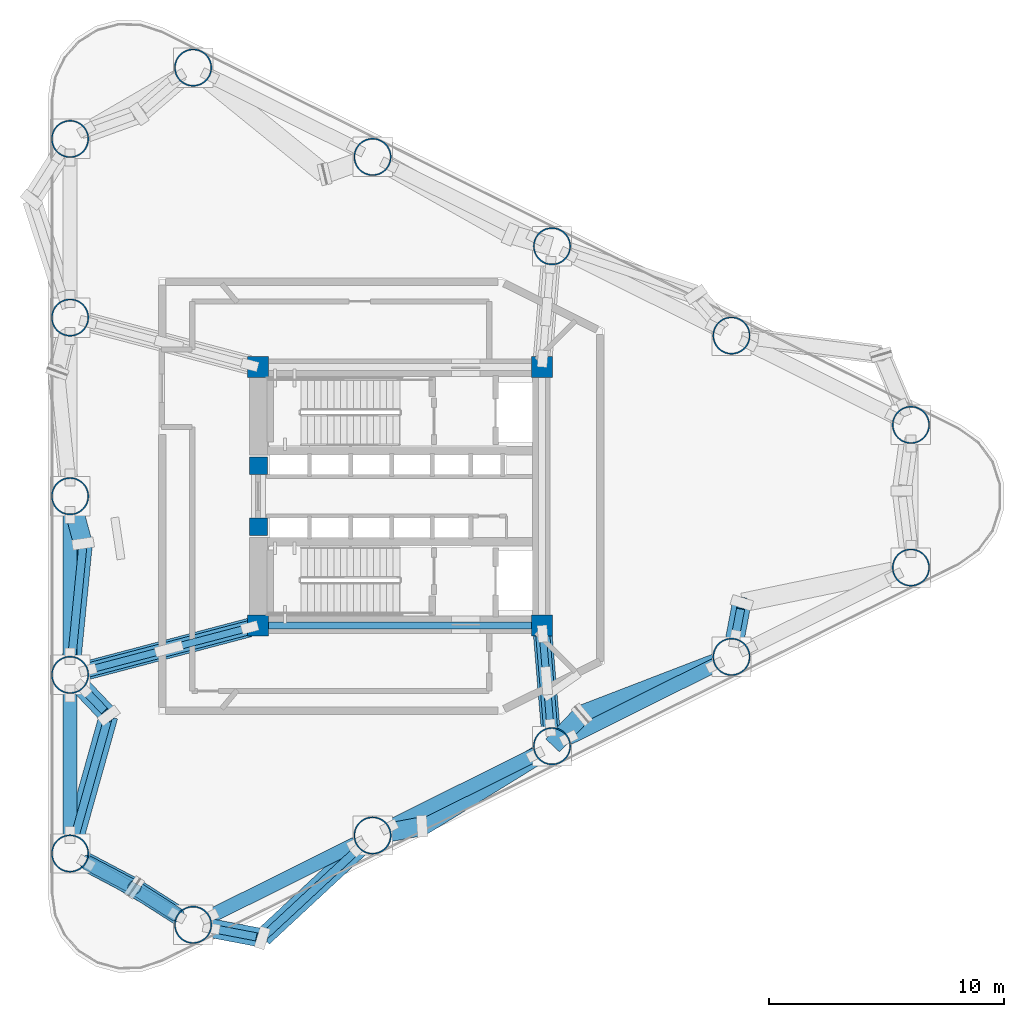
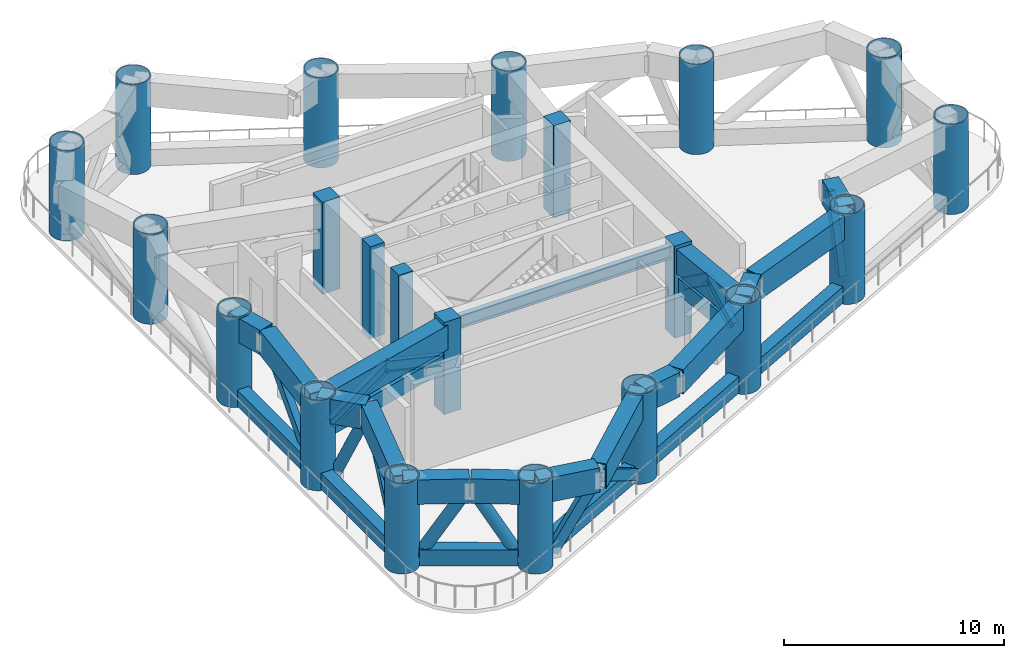
# One storey, part 1 of 8: 21 columns, 20 members, 16 beams.
"""IFC4 building model written with IfcOpenShell, lengths in metres."""

import ifcopenshell
import ifcopenshell.guid

model = None  # the IFC model being written
_history = None  # IfcOwnerHistory: only IFC2X3 demands one
_inside = {}  # id of a spatial element -> (the spatial element, [elements in it])
_under = {}  # id of a project, library or spatial element -> (it, [spatial elements below it])
_declared = {}  # id of a project -> (the project, [libraries it declares])
_typed = {}  # id of a type object -> (the type object, [elements of that type])
_made_of = {}  # id of a material, layer set ... -> (it, [elements and type objects made of it])


def new_model(schema):
    """Start an empty IFC model of exactly this schema.

    Asked for "IFC4X3", IfcOpenShell would pick the latest addendum, in which some entities
    have other attributes; the version numbers below select the first issue.
    IFC2X3 requires an IfcOwnerHistory on every rooted entity: one is made here for all.
    """
    global model, _history
    if schema == "IFC4X3":
        model = ifcopenshell.file(schema_version=(4, 3, 0, 0))
    else:
        model = ifcopenshell.file(schema=schema)
    _inside.clear()
    _under.clear()
    _declared.clear()
    _typed.clear()
    _made_of.clear()
    _history = None
    if model.schema == "IFC2X3":
        org = make("IfcOrganization", Name="unknown")
        user = make(
            "IfcPersonAndOrganization",
            ThePerson=make("IfcPerson", FamilyName="unknown"),
            TheOrganization=org,
        )
        app = make(
            "IfcApplication",
            ApplicationDeveloper=org,
            Version="unknown",
            ApplicationFullName="unknown",
            ApplicationIdentifier="unknown",
        )
        _history = make(
            "IfcOwnerHistory",
            OwningUser=user,
            OwningApplication=app,
            ChangeAction="ADDED",
            CreationDate=0,
        )
    return model


def make(cls, **values):
    """One entity of the class cls with the attributes given. An attribute that is None is left unset."""
    return model.create_entity(
        cls, **{name: value for name, value in values.items() if value is not None}
    )


def rooted(cls, **values):
    """An entity with a GlobalId (a new one), such as an element, a storey or a relation."""
    return make(cls, GlobalId=ifcopenshell.guid.new(), OwnerHistory=_history, **values)


def si_unit(unit_type, name, prefix=None):
    """IfcSIUnit, for example si_unit("LENGTHUNIT", "METRE", prefix="MILLI")."""
    return make("IfcSIUnit", UnitType=unit_type, Prefix=prefix, Name=name)


def assignment(units):
    """IfcUnitAssignment: the units of a project."""
    return None if units is None else make("IfcUnitAssignment", Units=units)


def point(xyz):
    """IfcCartesianPoint."""
    return None if xyz is None else make("IfcCartesianPoint", Coordinates=xyz)


def direction(xyz):
    """IfcDirection."""
    return None if xyz is None else make("IfcDirection", DirectionRatios=xyz)


def frame(location, z_axis=None, x_axis=None):
    """IfcAxis2Placement3D, a coordinate frame: its origin and axes. An axis left out is left unset."""
    return make(
        "IfcAxis2Placement3D",
        Location=point(location),
        Axis=direction(z_axis),
        RefDirection=direction(x_axis),
    )


def frame_2d(location, x_axis=None):
    """IfcAxis2Placement2D, a coordinate frame in the plane: its origin and x axis."""
    return make(
        "IfcAxis2Placement2D", Location=point(location), RefDirection=direction(x_axis)
    )


def origin():
    """The frame at (0, 0, 0) with its axes left unset."""
    return frame((0.0, 0.0, 0.0))


def origin_2d():
    """The frame at (0, 0) in the plane with its x axis left unset."""
    return frame_2d((0.0, 0.0))


def place(relative_to, where):
    """IfcLocalPlacement: puts the frame where relative to a parent placement (None: the world)."""
    return make(
        "IfcLocalPlacement", PlacementRelTo=relative_to, RelativePlacement=where
    )


def context(
    kind, dimensions, precision=None, world=None, true_north=None, identifier=None
):
    """IfcGeometricRepresentationContext, for example the 3D "Model" context."""
    return make(
        "IfcGeometricRepresentationContext",
        ContextIdentifier=identifier,
        ContextType=kind,
        CoordinateSpaceDimension=dimensions,
        Precision=precision,
        WorldCoordinateSystem=world,
        TrueNorth=true_north,
    )


def subcontext(parent, identifier, kind, view, scale=None):
    """IfcGeometricRepresentationSubContext, for example "Body" below "Model"."""
    return make(
        "IfcGeometricRepresentationSubContext",
        ContextIdentifier=identifier,
        ContextType=kind,
        ParentContext=parent,
        TargetScale=scale,
        TargetView=view,
    )


def project(units=None, contexts=None):
    """IfcProject with its units and contexts."""
    return rooted(
        "IfcProject",
        Name="project",
        RepresentationContexts=contexts,
        UnitsInContext=assignment(units),
    )


def spatial(cls, under=None, at=None, **own):
    """A site, building, storey or space (cls), placed at a placement, below another one or the project."""
    s = rooted(cls, ObjectPlacement=at, **own)
    if under is not None:
        _under.setdefault(under.id(), (under, []))[1].append(s)
    return s


def profile(cls, at=None, kind="AREA", **sizes):
    """A parametric profile (cls). Its sizes go by their IFC names, for example OverallWidth=200.0."""
    return make(cls, ProfileType=kind, Position=at, **sizes)


def rectangle(**sizes):
    """IfcRectangleProfileDef."""
    return profile("IfcRectangleProfileDef", **sizes)


def hollow_rectangle(**sizes):
    """IfcRectangleHollowProfileDef."""
    return profile("IfcRectangleHollowProfileDef", **sizes)


def hollow_circle(**sizes):
    """IfcCircleHollowProfileDef."""
    return profile("IfcCircleHollowProfileDef", **sizes)


def i_section(**sizes):
    """IfcIShapeProfileDef."""
    return profile("IfcIShapeProfileDef", **sizes)


def extrude(swept, where, along, depth):
    """IfcExtrudedAreaSolid: the profile swept, set in the frame where, extruded along a direction by depth."""
    return make(
        "IfcExtrudedAreaSolid",
        SweptArea=swept,
        Position=where,
        ExtrudedDirection=direction(along),
        Depth=depth,
    )


def shape(context_of_items, identifier, shape_type, items):
    """IfcShapeRepresentation: the items that make up one representation, for example the "Body"."""
    return make(
        "IfcShapeRepresentation",
        ContextOfItems=context_of_items,
        RepresentationIdentifier=identifier,
        RepresentationType=shape_type,
        Items=items,
    )


def source(mapping_origin, context_of_items, identifier, shape_type, items):
    """IfcRepresentationMap: a shape defined once, which mapped items show again and again."""
    return make(
        "IfcRepresentationMap",
        MappingOrigin=mapping_origin,
        MappedRepresentation=shape(context_of_items, identifier, shape_type, items),
    )


def transform(
    local_origin,
    x_axis=None,
    y_axis=None,
    z_axis=None,
    scale=None,
    scale2=None,
    scale3=None,
    uniform=True,
):
    """IfcCartesianTransformationOperator3D, or its non-uniform kind. x_axis, y_axis, z_axis: its Axis1, 2, 3."""
    if uniform:
        return make(
            "IfcCartesianTransformationOperator3D",
            Axis1=direction(x_axis),
            Axis2=direction(y_axis),
            LocalOrigin=point(local_origin),
            Scale=scale,
            Axis3=direction(z_axis),
        )
    return make(
        "IfcCartesianTransformationOperator3DnonUniform",
        Axis1=direction(x_axis),
        Axis2=direction(y_axis),
        LocalOrigin=point(local_origin),
        Scale=scale,
        Axis3=direction(z_axis),
        Scale2=scale2,
        Scale3=scale3,
    )


def mapped(mapping_source, mapping_target):
    """IfcMappedItem: shows the shape of a source again, moved by a transform."""
    return make(
        "IfcMappedItem", MappingSource=mapping_source, MappingTarget=mapping_target
    )


def material(Name=None, Category=None):
    """IfcMaterial."""
    return make("IfcMaterial", Name=Name, Category=Category)


def material_profile(
    of_material, cross_section, Name=None, Category=None, Priority=None
):
    """IfcMaterialProfile: a cross section and its material."""
    return make(
        "IfcMaterialProfile",
        Name=Name,
        Material=of_material,
        Profile=cross_section,
        Priority=Priority,
        Category=Category,
    )


def profile_set(profiles, Name=None, composite=None):
    """IfcMaterialProfileSet."""
    return make(
        "IfcMaterialProfileSet",
        Name=Name,
        MaterialProfiles=profiles,
        CompositeProfile=composite,
    )


def made_of(thing, what):
    """Note that an element or type object is made of a material, layer set ...; save() writes the relation."""
    if what is not None:
        _made_of.setdefault(what.id(), (what, []))[1].append(thing)
    return thing


def type_object(cls, material=None, **own):
    """A type object (cls), such as IfcWallType, which elements share."""
    return made_of(rooted(cls, **own), material)


def element(
    cls,
    number,
    at=None,
    inside=None,
    cuts=None,
    type_object=None,
    material=None,
    context=None,
    identifier="Body",
    shape_type=None,
    held_by="IfcProductDefinitionShape",
    body=None,
    shapes=None,
    **own,
):
    """One element of the class cls, such as IfcWall. Its Tag is "e" and its number.

    at: its placement. inside: the storey or other place that contains it. cuts: it is an
    opening in that element (IfcRelVoidsElement). A single representation is given by context,
    identifier, shape_type and body (its items); several are given by shapes. held_by: the class
    of the entity that holds the representations. save() writes the other relations.
    """
    e = rooted(cls, Tag="e%d" % number, ObjectPlacement=at, **own)
    if body is not None:
        shapes = [shape(context, identifier, shape_type, body)]
    if shapes is not None:
        e.Representation = make(held_by, Representations=shapes)
    if inside is not None:
        _inside.setdefault(inside.id(), (inside, []))[1].append(e)
    if cuts is not None:
        rooted(
            "IfcRelVoidsElement", RelatingBuildingElement=cuts, RelatedOpeningElement=e
        )
    if type_object is not None:
        _typed.setdefault(type_object.id(), (type_object, []))[1].append(e)
    return made_of(e, material)


def aggregate(whole, parts):
    """IfcRelAggregates: a whole, such as a stair, and the parts it consists of."""
    return rooted("IfcRelAggregates", RelatingObject=whole, RelatedObjects=parts)


def save(model, path):
    """Write the relations noted so far, then the file.

    IfcRelAggregates (storeys below a building ...), IfcRelContainedInSpatialStructure (elements
    in a storey), IfcRelDefinesByType, IfcRelAssociatesMaterial and IfcRelDeclares: one each for
    every whole, place, type object, material and project.
    """
    for whole, parts in _under.values():
        aggregate(whole, parts)
    for where, things in _inside.values():
        rooted(
            "IfcRelContainedInSpatialStructure",
            RelatedElements=things,
            RelatingStructure=where,
        )
    for kind, things in _typed.values():
        rooted("IfcRelDefinesByType", RelatedObjects=things, RelatingType=kind)
    for what, things in _made_of.values():
        rooted("IfcRelAssociatesMaterial", RelatedObjects=things, RelatingMaterial=what)
    for by, libraries in _declared.values():
        rooted("IfcRelDeclares", RelatingContext=by, RelatedDefinitions=libraries)
    model.write(path)


model = new_model("IFC4")

# Units and contexts
model_context = context("Model", 3, precision=1e-05, world=origin(), true_north=direction((0.0, 1.0)))
body_context = subcontext(model_context, "Body", "Model", "MODEL_VIEW")
ifc_project = project(units=[si_unit("LENGTHUNIT", "METRE"), si_unit("AREAUNIT", "SQUARE_METRE"), si_unit("VOLUMEUNIT", "CUBIC_METRE"), si_unit("PLANEANGLEUNIT", "RADIAN"), si_unit("MASSUNIT", "GRAM", prefix="KILO")], contexts=[model_context])

# Site, building, storey
site_placement = place(None, origin())
site = spatial("IfcSite", under=ifc_project, at=site_placement, CompositionType="ELEMENT")
building_placement = place(site_placement, origin())
building = spatial("IfcBuilding", under=site, at=building_placement, Name="Yunling Apex Tower", CompositionType="ELEMENT")
storey_placement = place(building_placement, frame((0.0, 0.0, 49.699951171875)))
storey = spatial("IfcBuildingStorey", under=building, at=storey_placement, Name="RF1", CompositionType="ELEMENT", Elevation=49.699951171875)

# Columns
ifc_material_1 = material(Name="Concrete C60", Category="concrete")
ifc_material_profile_1 = material_profile(ifc_material_1, rectangle(XDim=0.89990234375, YDim=0.89990234375, at=origin_2d()))
ifc_profile_set_1 = profile_set([ifc_material_profile_1], Name="Concrete C60")
column_type_1 = type_object("IfcColumnType", Name="PC-SRC-3", PredefinedType="COLUMN", material=ifc_profile_set_1)
shared_shape_1 = source(origin(), body_context, "Body", "SweptSolid", [
    extrude(rectangle(XDim=0.89990234375, YDim=0.89990234375, at=origin_2d()), origin(), (0.0, 0.0, 1.0), 5.10009765625),
])
for number, where, z_axis, x_axis, name in (
    (1, (-6.050048828125, -5.5, 0.0), (0.0, 0.0, 1.0), (1.0, 0.0, 0.0), "RF1 Core Spine Column CC-SW"),
    (2, (6.050048828125, -5.5, 0.0), (0.0, 0.0, 1.0), (1.0, 0.0, 0.0), "RF1 Core Spine Column CC-SE"),
    (3, (6.050048828125, 5.5, 0.0), (0.0, 0.0, 1.0), (1.0, 0.0, 0.0), "RF1 Core Spine Column CC-NE"),
    (4, (-6.050048828125, 5.5, 0.0), (0.0, 0.0, 1.0), (1.0, 0.0, 0.0), "RF1 Core Spine Column CC-NW"),
):
    element("IfcColumn", number, at=place(storey_placement, frame(where, z_axis=z_axis, x_axis=x_axis)), inside=storey, type_object=column_type_1, Name=name, PredefinedType="COLUMN", context=body_context, shape_type="MappedRepresentation", body=[
        mapped(shared_shape_1, transform((0.0, 0.0, 0.0), scale=1.0)),
    ])
ifc_material_2 = material(Name="Concrete C50", Category="concrete")
ifc_material_profile_2 = material_profile(ifc_material_2, rectangle(XDim=0.75, YDim=0.75, at=origin_2d()))
ifc_profile_set_2 = profile_set([ifc_material_profile_2], Name="Concrete C50")
column_type_2 = type_object("IfcColumnType", Name="PC-SRC-4", PredefinedType="COLUMN", material=ifc_profile_set_2)
shared_shape_2 = source(origin(), body_context, "Body", "SweptSolid", [
    extrude(rectangle(XDim=0.75, YDim=0.75, at=origin_2d()), origin(), (0.0, 0.0, 1.0), 5.10009765625),
])
for number, where, z_axis, x_axis, name in (
    (5, (-6.02490234375, -1.300048828125, 0.0), (0.0, 0.0, 1.0), (1.0, 0.0, 0.0), "RF1 Core West Portal Jamb Column S"),
    (6, (-6.02490234375, 1.300048828125, 0.0), (0.0, 0.0, 1.0), (1.0, 0.0, 0.0), "RF1 Core West Portal Jamb Column N"),
):
    element("IfcColumn", number, at=place(storey_placement, frame(where, z_axis=z_axis, x_axis=x_axis)), inside=storey, type_object=column_type_2, Name=name, PredefinedType="COLUMN", context=body_context, shape_type="MappedRepresentation", body=[
        mapped(shared_shape_2, transform((0.0, 0.0, 0.0), scale=1.0)),
    ])
ifc_material_3 = material(Name="Steel Q390GJC", Category="steel")
ifc_material_profile_3 = material_profile(ifc_material_3, hollow_circle(Radius=0.800048828125, WallThickness=0.054931640625, at=origin_2d()))
ifc_profile_set_3 = profile_set([ifc_material_profile_3], Name="Steel Q390GJC")
column_type_3 = type_object("IfcColumnType", Name="MC-CFST-1", PredefinedType="COLUMN", material=ifc_profile_set_3)
shared_shape_3 = source(origin(), body_context, "Body", "SweptSolid", [
    extrude(hollow_circle(Radius=0.800048828125, WallThickness=0.054931640625, at=origin_2d()), origin(), (0.0, 0.0, 1.0), 5.0),
])
for number, where, z_axis, x_axis, name in (
    (7, (-8.8115234375, -18.2578125, 0.0), (0.0, 0.0, 1.0), (1.0, 0.0, 0.0), "RF1 Lower-Block CFST Column P01"),
    (8, (-1.1669921875, -14.453125, 0.0), (0.0, 0.0, 1.0), (1.0, 0.0, 0.0), "RF1 Lower-Block CFST Column P02"),
    (9, (6.477294921875, -10.648193359375, 0.0), (0.0, 0.0, 1.0), (1.0, 0.0, 0.0), "RF1 Lower-Block CFST Column P03"),
    (10, (14.121826171875, -6.843505859375, 0.0), (0.0, 0.0, 1.0), (1.0, 0.0, 0.0), "RF1 Lower-Block CFST Column P04"),
    (11, (21.76611328125, -3.038818359375, 0.0), (0.0, 0.0, 1.0), (1.0, 0.0, 0.0), "RF1 Lower-Block CFST Column P05"),
    (12, (21.76611328125, 3.038818359375, 0.0), (0.0, 0.0, 1.0), (1.0, 0.0, 0.0), "RF1 Lower-Block CFST Column P06"),
    (13, (14.121826171875, 6.843505859375, 0.0), (0.0, 0.0, 1.0), (1.0, 0.0, 0.0), "RF1 Lower-Block CFST Column P07"),
    (14, (6.477294921875, 10.648193359375, 0.0), (0.0, 0.0, 1.0), (1.0, 0.0, 0.0), "RF1 Lower-Block CFST Column P08"),
    (15, (-1.1669921875, 14.453125, 0.0), (0.0, 0.0, 1.0), (1.0, 0.0, 0.0), "RF1 Lower-Block CFST Column P09"),
    (16, (-8.8115234375, 18.2578125, 0.0), (0.0, 0.0, 1.0), (1.0, 0.0, 0.0), "RF1 Lower-Block CFST Column P10"),
    (17, (-14.052001953125, 15.218994140625, 0.0), (0.0, 0.0, 1.0), (1.0, 0.0, 0.0), "RF1 Lower-Block CFST Column P11"),
    (18, (-14.052001953125, 7.609619140625, 0.0), (0.0, 0.0, 1.0), (1.0, 0.0, 0.0), "RF1 Lower-Block CFST Column P12"),
    (19, (-14.052001953125, 0.0, 0.0), (0.0, 0.0, 1.0), (1.0, 0.0, 0.0), "RF1 Lower-Block CFST Column P13"),
    (20, (-14.052001953125, -7.609619140625, 0.0), (0.0, 0.0, 1.0), (1.0, 0.0, 0.0), "RF1 Lower-Block CFST Column P14"),
    (21, (-14.052001953125, -15.218994140625, 0.0), (0.0, 0.0, 1.0), (1.0, 0.0, 0.0), "RF1 Lower-Block CFST Column P15"),
):
    element("IfcColumn", number, at=place(storey_placement, frame(where, z_axis=z_axis, x_axis=x_axis)), inside=storey, type_object=column_type_3, Name=name, PredefinedType="COLUMN", context=body_context, shape_type="MappedRepresentation", body=[
        mapped(shared_shape_3, transform((0.0, 0.0, 0.0), scale=1.0)),
    ])

# Beam
ifc_material_4 = material(Name="Steel Q355B", Category="steel")
ifc_material_profile_4 = material_profile(ifc_material_4, i_section(OverallWidth=0.300048828125, OverallDepth=0.699951171875, WebThickness=0.012939453125, FlangeThickness=0.02392578125, FilletRadius=0.02587890625, at=origin_2d()))
ifc_profile_set_4 = profile_set([ifc_material_profile_4], Name="Steel Q355B")
beam_type_1 = type_object("IfcBeamType", Name="BG-PRI-3", PredefinedType="USERDEFINED", material=ifc_profile_set_4)
shared_shape_4 = source(origin(), body_context, "Body", "SweptSolid", [
    extrude(i_section(OverallWidth=0.300048828125, OverallDepth=0.699951171875, WebThickness=0.012939453125, FlangeThickness=0.02392578125, FilletRadius=0.02587890625, at=origin_2d()), origin(), (0.0, 0.0, 1.0), 11.7998046875),
])
beam_1_placement = place(storey_placement, frame((-5.89990234375, -5.5, 4.56494140625), z_axis=(1.0, 0.0, 0.0), x_axis=(0.0, 1.0, 0.0)))
element("IfcBeam", 22, at=beam_1_placement, inside=storey, type_object=beam_type_1, Name="RF1 Core Ring Tie Beam 1", ObjectType="GIRDER", PredefinedType="USERDEFINED", context=body_context, shape_type="MappedRepresentation", body=[
    mapped(shared_shape_4, transform((0.0, 0.0, 0.0), scale=1.0)),
])

# Members
ifc_material_profile_5 = material_profile(ifc_material_3, hollow_rectangle(XDim=0.60009765625, YDim=0.89990234375, WallThickness=0.0419921875, at=origin_2d()))
ifc_profile_set_5 = profile_set([ifc_material_profile_5], Name="Steel Q390GJC")
member_type_1 = type_object("IfcMemberType", Name="BT-CHD-1", PredefinedType="CHORD", material=ifc_profile_set_5)
shared_shape_5 = source(origin(), body_context, "Body", "SweptSolid", [
    extrude(hollow_rectangle(XDim=0.60009765625, YDim=0.89990234375, WallThickness=0.0419921875, at=origin_2d()), origin(), (0.0, 0.0, 1.0), 6.954833984375),
])
for number, where, z_axis, x_axis, name in (
    (23, (-8.1025390625, -17.90478515625, 0.550048828125), (0.895247106475, 0.445569992647, 0.0), (-0.445569992647, 0.895247106475, 0.0), "RF1 Belt-Truss Bottom Chord 1"),
    (24, (-0.4580078125, -14.10009765625, 0.550048828125), (0.895247106475, 0.445569992647, 0.0), (-0.445569992647, 0.895247106475, 0.0), "RF1 Belt-Truss Bottom Chord 2"),
):
    element("IfcMember", number, at=place(storey_placement, frame(where, z_axis=z_axis, x_axis=x_axis)), inside=storey, type_object=member_type_1, Name=name, PredefinedType="CHORD", context=body_context, shape_type="MappedRepresentation", body=[
        mapped(shared_shape_5, transform((0.0, 0.0, 0.0), scale=1.0)),
    ])
shared_shape_6 = source(origin(), body_context, "Body", "SweptSolid", [
    extrude(hollow_rectangle(XDim=0.60009765625, YDim=0.89990234375, WallThickness=0.0419921875, at=origin_2d()), origin(), (0.0, 0.0, 1.0), 6.955078125),
])
member_1_placement = place(storey_placement, frame((7.186279296875, -10.29541015625, 0.550048828125), z_axis=(0.895254075356, 0.445555990374, 0.0), x_axis=(-0.445555990374, 0.895254075356, 0.0)))
element("IfcMember", 25, at=member_1_placement, inside=storey, type_object=member_type_1, Name="RF1 Belt-Truss Bottom Chord 3", PredefinedType="CHORD", context=body_context, shape_type="MappedRepresentation", body=[
    mapped(shared_shape_6, transform((0.0, 0.0, 0.0), scale=1.0)),
])
shared_shape_7 = source(origin(), body_context, "Body", "SweptSolid", [
    extrude(hollow_rectangle(XDim=0.60009765625, YDim=0.89990234375, WallThickness=0.0419921875, at=origin_2d()), origin(), (0.0, 0.0, 1.0), 4.47412109375),
])
member_2_placement = place(storey_placement, frame((-13.366943359375, -15.6162109375, 0.550048828125), z_axis=(0.865072394366, -0.501647039766, 0.0), x_axis=(0.501647039766, 0.865072394366, 0.0)))
element("IfcMember", 26, at=member_2_placement, inside=storey, type_object=member_type_1, Name="RF1 Belt-Truss Bottom Chord 15", PredefinedType="CHORD", context=body_context, shape_type="MappedRepresentation", body=[
    mapped(shared_shape_7, transform((0.0, 0.0, 0.0), scale=1.0)),
])
shared_shape_8 = source(origin(), body_context, "Body", "SweptSolid", [
    extrude(hollow_rectangle(XDim=0.60009765625, YDim=0.89990234375, WallThickness=0.0419921875, at=origin_2d()), origin(), (0.0, 0.0, 1.0), 6.025390625),
])
for number, where, z_axis, x_axis, name in (
    (27, (-14.052001953125, -0.7919921875, 0.550048828125), (0.0, -1.0, 0.0), (1.0, 0.0, 0.0), "RF1 Belt-Truss Bottom Chord 13"),
    (28, (-14.052001953125, -8.401611328125, 0.550048828125), (0.0, -1.0, 0.0), (1.0, 0.0, 0.0), "RF1 Belt-Truss Bottom Chord 14"),
):
    element("IfcMember", number, at=place(storey_placement, frame(where, z_axis=z_axis, x_axis=x_axis)), inside=storey, type_object=member_type_1, Name=name, PredefinedType="CHORD", context=body_context, shape_type="MappedRepresentation", body=[
        mapped(shared_shape_8, transform((0.0, 0.0, 0.0), scale=1.0)),
    ])

# Beams
ifc_material_profile_6 = material_profile(ifc_material_3, hollow_rectangle(XDim=0.800048828125, YDim=1.35009765625, WallThickness=0.050048828125, at=origin_2d()))
ifc_profile_set_6 = profile_set([ifc_material_profile_6], Name="Steel Q390GJC")
beam_type_2 = type_object("IfcBeamType", Name="BTRNG-1", PredefinedType="USERDEFINED", material=ifc_profile_set_6)
shared_shape_9 = source(origin(), body_context, "Body", "SweptSolid", [
    extrude(hollow_rectangle(XDim=0.800048828125, YDim=1.35009765625, WallThickness=0.050048828125, at=origin_2d()), origin(), (0.0, 0.0, 1.0), 5.5390625),
])
beam_2_placement = place(storey_placement, frame((-13.50390625, -2.057373046875, 4.239990234375), z_axis=(-0.098246801177, -0.995162080296, 0.0), x_axis=(0.995162080296, -0.098246801177, 0.0)))
element("IfcBeam", 29, at=beam_2_placement, inside=storey, type_object=beam_type_2, Name="RF1 Panel-Split Box Ring Transfer Girder 1", ObjectType="GIRDER", PredefinedType="USERDEFINED", context=body_context, shape_type="MappedRepresentation", body=[
    mapped(shared_shape_9, transform((0.0, 0.0, 0.0), scale=1.0)),
])
shared_shape_10 = source(origin(), body_context, "Body", "SweptSolid", [
    extrude(hollow_rectangle(XDim=0.800048828125, YDim=1.35009765625, WallThickness=0.050048828125, at=origin_2d()), origin(), (0.0, 0.0, 1.0), 2.309326171875),
])
beam_3_placement = place(storey_placement, frame((-14.0244140625, -7.638427734375, 4.239990234375), z_axis=(0.689068910195, -0.724695823779, 0.0), x_axis=(0.724695823779, 0.689068910195, 0.0)))
element("IfcBeam", 30, at=beam_3_placement, inside=storey, type_object=beam_type_2, Name="RF1 Panel-Split Box Ring Transfer Girder 2", ObjectType="GIRDER", PredefinedType="USERDEFINED", context=body_context, shape_type="MappedRepresentation", body=[
    mapped(shared_shape_10, transform((0.0, 0.0, 0.0), scale=1.0)),
])
shared_shape_11 = source(origin(), body_context, "Body", "SweptSolid", [
    extrude(hollow_rectangle(XDim=0.800048828125, YDim=1.35009765625, WallThickness=0.050048828125, at=origin_2d()), origin(), (0.0, 0.0, 1.0), 6.02392578125),
])
beam_4_placement = place(storey_placement, frame((-12.41650390625, -9.379638671875, 4.239990234375), z_axis=(-0.269712603672, -0.962940866004, 0.0), x_axis=(0.962940866004, -0.269712603672, 0.0)))
element("IfcBeam", 31, at=beam_4_placement, inside=storey, type_object=beam_type_2, Name="RF1 Panel-Split Box Ring Transfer Girder 3", ObjectType="GIRDER", PredefinedType="USERDEFINED", context=body_context, shape_type="MappedRepresentation", body=[
    mapped(shared_shape_11, transform((0.0, 0.0, 0.0), scale=1.0)),
])
shared_shape_12 = source(origin(), body_context, "Body", "SweptSolid", [
    extrude(hollow_rectangle(XDim=0.800048828125, YDim=1.35009765625, WallThickness=0.050048828125, at=origin_2d()), origin(), (0.0, 0.0, 1.0), 3.018798828125),
])
beam_5_placement = place(storey_placement, frame((-14.0166015625, -15.237548828125, 4.239990234375), z_axis=(0.884495078874, -0.466549520895, 0.0), x_axis=(0.466549520895, 0.884495078874, 0.0)))
element("IfcBeam", 32, at=beam_5_placement, inside=storey, type_object=beam_type_2, Name="RF1 Panel-Split Box Ring Transfer Girder 4", ObjectType="GIRDER", PredefinedType="USERDEFINED", context=body_context, shape_type="MappedRepresentation", body=[
    mapped(shared_shape_12, transform((0.0, 0.0, 0.0), scale=1.0)),
])
shared_shape_13 = source(origin(), body_context, "Body", "SweptSolid", [
    extrude(hollow_rectangle(XDim=0.800048828125, YDim=1.35009765625, WallThickness=0.050048828125, at=origin_2d()), origin(), (0.0, 0.0, 1.0), 2.88427734375),
])
beam_6_placement = place(storey_placement, frame((-11.27734375, -16.68603515625, 4.239990234375), z_axis=(0.8432569329, -0.537510693025, 0.0), x_axis=(0.537510693025, 0.8432569329, 0.0)))
element("IfcBeam", 33, at=beam_6_placement, inside=storey, type_object=beam_type_2, Name="RF1 Panel-Split Box Ring Transfer Girder 5", ObjectType="GIRDER", PredefinedType="USERDEFINED", context=body_context, shape_type="MappedRepresentation", body=[
    mapped(shared_shape_13, transform((0.0, 0.0, 0.0), scale=1.0)),
])
shared_shape_14 = source(origin(), body_context, "Body", "SweptSolid", [
    extrude(hollow_rectangle(XDim=0.800048828125, YDim=1.35009765625, WallThickness=0.050048828125, at=origin_2d()), origin(), (0.0, 0.0, 1.0), 2.91650390625),
])
beam_7_placement = place(storey_placement, frame((-8.772216796875, -18.265380859375, 4.239990234375), z_axis=(0.982277699625, -0.187431376296, 0.0), x_axis=(0.187431376296, 0.982277699625, 0.0)))
element("IfcBeam", 34, at=beam_7_placement, inside=storey, type_object=beam_type_2, Name="RF1 Panel-Split Box Ring Transfer Girder 6", ObjectType="GIRDER", PredefinedType="USERDEFINED", context=body_context, shape_type="MappedRepresentation", body=[
    mapped(shared_shape_14, transform((0.0, 0.0, 0.0), scale=1.0)),
])
shared_shape_15 = source(origin(), body_context, "Body", "SweptSolid", [
    extrude(hollow_rectangle(XDim=0.800048828125, YDim=1.35009765625, WallThickness=0.050048828125, at=origin_2d()), origin(), (0.0, 0.0, 1.0), 6.336181640625),
])
beam_8_placement = place(storey_placement, frame((-5.8388671875, -18.792236328125, 4.239990234375), z_axis=(0.732711145407, 0.680539769151, 0.0), x_axis=(-0.680539769151, 0.732711145407, 0.0)))
element("IfcBeam", 35, at=beam_8_placement, inside=storey, type_object=beam_type_2, Name="RF1 Panel-Split Box Ring Transfer Girder 7", ObjectType="GIRDER", PredefinedType="USERDEFINED", context=body_context, shape_type="MappedRepresentation", body=[
    mapped(shared_shape_15, transform((0.0, 0.0, 0.0), scale=1.0)),
])
shared_shape_16 = source(origin(), body_context, "Body", "SweptSolid", [
    extrude(hollow_rectangle(XDim=0.800048828125, YDim=1.35009765625, WallThickness=0.050048828125, at=origin_2d()), origin(), (0.0, 0.0, 1.0), 2.0654296875),
])
beam_9_placement = place(storey_placement, frame((-1.127685546875, -14.44580078125, 4.239990234375), z_axis=(0.982894928803, 0.184167203737, 0.0), x_axis=(-0.184167203737, 0.982894928803, 0.0)))
element("IfcBeam", 36, at=beam_9_placement, inside=storey, type_object=beam_type_2, Name="RF1 Panel-Split Box Ring Transfer Girder 8", ObjectType="GIRDER", PredefinedType="USERDEFINED", context=body_context, shape_type="MappedRepresentation", body=[
    mapped(shared_shape_16, transform((0.0, 0.0, 0.0), scale=1.0)),
])
shared_shape_17 = source(origin(), body_context, "Body", "SweptSolid", [
    extrude(hollow_rectangle(XDim=0.800048828125, YDim=1.35009765625, WallThickness=0.050048828125, at=origin_2d()), origin(), (0.0, 0.0, 1.0), 6.421630859375),
])
beam_10_placement = place(storey_placement, frame((0.975830078125, -14.037109375, 4.239990234375), z_axis=(0.851429796992, 0.524468588949, 0.0), x_axis=(-0.524468588949, 0.851429796992, 0.0)))
element("IfcBeam", 37, at=beam_10_placement, inside=storey, type_object=beam_type_2, Name="RF1 Panel-Split Box Ring Transfer Girder 9", ObjectType="GIRDER", PredefinedType="USERDEFINED", context=body_context, shape_type="MappedRepresentation", body=[
    mapped(shared_shape_17, transform((0.0, 0.0, 0.0), scale=1.0)),
])
shared_shape_18 = source(origin(), body_context, "Body", "SweptSolid", [
    extrude(hollow_rectangle(XDim=0.800048828125, YDim=1.35009765625, WallThickness=0.050048828125, at=origin_2d()), origin(), (0.0, 0.0, 1.0), 1.77734375),
])
beam_11_placement = place(storey_placement, frame((6.5048828125, -10.619140625, 4.239990234375), z_axis=(0.685990014119, 0.727610954102, 0.0), x_axis=(-0.727610954102, 0.685990014119, 0.0)))
element("IfcBeam", 38, at=beam_11_placement, inside=storey, type_object=beam_type_2, Name="RF1 Panel-Split Box Ring Transfer Girder 10", ObjectType="GIRDER", PredefinedType="USERDEFINED", context=body_context, shape_type="MappedRepresentation", body=[
    mapped(shared_shape_18, transform((0.0, 0.0, 0.0), scale=1.0)),
])
shared_shape_19 = source(origin(), body_context, "Body", "SweptSolid", [
    extrude(hollow_rectangle(XDim=0.800048828125, YDim=1.35009765625, WallThickness=0.050048828125, at=origin_2d()), origin(), (0.0, 0.0, 1.0), 6.746337890625),
])
beam_12_placement = place(storey_placement, frame((7.788818359375, -9.282470703125, 4.239990234375), z_axis=(0.933188825491, 0.359386443788, 0.0), x_axis=(-0.359386443788, 0.933188825491, 0.0)))
element("IfcBeam", 39, at=beam_12_placement, inside=storey, type_object=beam_type_2, Name="RF1 Panel-Split Box Ring Transfer Girder 11", ObjectType="GIRDER", PredefinedType="USERDEFINED", context=body_context, shape_type="MappedRepresentation", body=[
    mapped(shared_shape_19, transform((0.0, 0.0, 0.0), scale=1.0)),
])
shared_shape_20 = source(origin(), body_context, "Body", "SweptSolid", [
    extrude(hollow_rectangle(XDim=0.800048828125, YDim=1.35009765625, WallThickness=0.050048828125, at=origin_2d()), origin(), (0.0, 0.0, 1.0), 2.26953125),
])
beam_13_placement = place(storey_placement, frame((14.12939453125, -6.80419921875, 4.239990234375), z_axis=(0.187067619518, 0.982347039354, 0.0), x_axis=(-0.982347039354, 0.187067619518, 0.0)))
element("IfcBeam", 40, at=beam_13_placement, inside=storey, type_object=beam_type_2, Name="RF1 Panel-Split Box Ring Transfer Girder 12", ObjectType="GIRDER", PredefinedType="USERDEFINED", context=body_context, shape_type="MappedRepresentation", body=[
    mapped(shared_shape_20, transform((0.0, 0.0, 0.0), scale=1.0)),
])
shared_shape_21 = source(origin(), body_context, "Body", "SweptSolid", [
    extrude(hollow_rectangle(XDim=0.800048828125, YDim=1.35009765625, WallThickness=0.050048828125, at=origin_2d()), origin(), (0.0, 0.0, 1.0), 2.01171875),
])
beam_14_placement = place(storey_placement, frame((-14.04150390625, -0.03857421875, 4.239990234375), z_axis=(0.263836156056, -0.964567510731, 0.0), x_axis=(0.964567510731, 0.263836156056, 0.0)))
element("IfcBeam", 41, at=beam_14_placement, inside=storey, type_object=beam_type_2, Name="RF1 Panel-Split Box Ring Transfer Girder 30", ObjectType="GIRDER", PredefinedType="USERDEFINED", context=body_context, shape_type="MappedRepresentation", body=[
    mapped(shared_shape_21, transform((0.0, 0.0, 0.0), scale=1.0)),
])

# Members
ifc_material_profile_7 = material_profile(ifc_material_4, hollow_rectangle(XDim=0.35009765625, YDim=0.550048828125, WallThickness=0.02587890625, at=origin_2d()))
ifc_profile_set_7 = profile_set([ifc_material_profile_7], Name="Steel Q355B")
member_type_2 = type_object("IfcMemberType", Name="BR-BLT-1", PredefinedType="BRACE", material=ifc_profile_set_7)
shared_shape_22 = source(origin(), body_context, "Body", "SweptSolid", [
    extrude(hollow_rectangle(XDim=0.35009765625, YDim=0.550048828125, WallThickness=0.02587890625, at=origin_2d()), origin(), (0.0, 0.0, 1.0), 4.2890625),
])
member_3_placement = place(storey_placement, frame((-8.035400390625, -18.406005859375, 0.550048828125), z_axis=(0.500738955597, -0.095514376207, 0.860312444572), x_axis=(0.18736865509, 0.982289665572, 0.0)))
element("IfcMember", 42, at=member_3_placement, inside=storey, type_object=member_type_2, Name="RF1 Belt-Truss Diagonal 1-1", PredefinedType="BRACE", context=body_context, shape_type="MappedRepresentation", body=[
    mapped(shared_shape_22, transform((0.0, 0.0, 0.0), scale=1.0)),
])
shared_shape_23 = source(origin(), body_context, "Body", "SweptSolid", [
    extrude(hollow_rectangle(XDim=0.35009765625, YDim=0.550048828125, WallThickness=0.02587890625, at=origin_2d()), origin(), (0.0, 0.0, 1.0), 6.71142578125),
])
member_4_placement = place(storey_placement, frame((-1.745849609375, -14.99072265625, 0.550048828125), z_axis=(-0.61203399979, -0.568454996418, 0.549793870599), x_axis=(0.680539624072, -0.732711280156, 0.0)))
element("IfcMember", 43, at=member_4_placement, inside=storey, type_object=member_type_2, Name="RF1 Belt-Truss Diagonal 1-2", PredefinedType="BRACE", context=body_context, shape_type="MappedRepresentation", body=[
    mapped(shared_shape_23, transform((0.0, 0.0, 0.0), scale=1.0)),
])
shared_shape_24 = source(origin(), body_context, "Body", "SweptSolid", [
    extrude(hollow_rectangle(XDim=0.35009765625, YDim=0.550048828125, WallThickness=0.02587890625, at=origin_2d()), origin(), (0.0, 0.0, 1.0), 3.998291015625),
])
member_5_placement = place(storey_placement, frame((14.26953125, -6.067626953125, 0.550048828125), z_axis=(0.072113376319, 0.378274653935, 0.92288024529), x_axis=(-0.982309409101, 0.187265118991, 0.0)))
element("IfcMember", 44, at=member_5_placement, inside=storey, type_object=member_type_2, Name="RF1 Belt-Truss Diagonal 4-1", PredefinedType="BRACE", context=body_context, shape_type="MappedRepresentation", body=[
    mapped(shared_shape_24, transform((0.0, 0.0, 0.0), scale=1.0)),
])
shared_shape_25 = source(origin(), body_context, "Body", "SweptSolid", [
    extrude(hollow_rectangle(XDim=0.35009765625, YDim=0.550048828125, WallThickness=0.02587890625, at=origin_2d()), origin(), (0.0, 0.0, 1.0), 6.0615234375),
])
member_6_placement = place(storey_placement, frame((-13.974365234375, -6.8232421875, 0.550048828125), z_axis=(0.07789705041, 0.789523258607, 0.608756990643), x_axis=(-0.995168015697, 0.098186661685, 0.0)))
element("IfcMember", 45, at=member_6_placement, inside=storey, type_object=member_type_2, Name="RF1 Belt-Truss Diagonal 13-1", PredefinedType="BRACE", context=body_context, shape_type="MappedRepresentation", body=[
    mapped(shared_shape_25, transform((0.0, 0.0, 0.0), scale=1.0)),
])
shared_shape_26 = source(origin(), body_context, "Body", "SweptSolid", [
    extrude(hollow_rectangle(XDim=0.35009765625, YDim=0.550048828125, WallThickness=0.02587890625, at=origin_2d()), origin(), (0.0, 0.0, 1.0), 4.013671875),
])
member_7_placement = place(storey_placement, frame((-13.507568359375, -8.181884765625, 0.550048828125), z_axis=(0.27110155622, -0.285213192084, 0.919324415686), x_axis=(0.724810298595, 0.68894849666, 0.0)))
element("IfcMember", 46, at=member_7_placement, inside=storey, type_object=member_type_2, Name="RF1 Belt-Truss Diagonal 14-1", PredefinedType="BRACE", context=body_context, shape_type="MappedRepresentation", body=[
    mapped(shared_shape_26, transform((0.0, 0.0, 0.0), scale=1.0)),
])
shared_shape_27 = source(origin(), body_context, "Body", "SweptSolid", [
    extrude(hollow_rectangle(XDim=0.35009765625, YDim=0.550048828125, WallThickness=0.02587890625, at=origin_2d()), origin(), (0.0, 0.0, 1.0), 6.453125),
])
member_8_placement = place(storey_placement, frame((-13.8388671875, -14.458251953125, 0.550048828125), z_axis=(0.221283328123, 0.789984129688, 0.571803081083), x_axis=(-0.962936235874, 0.269729133836, 0.0)))
element("IfcMember", 47, at=member_8_placement, inside=storey, type_object=member_type_2, Name="RF1 Belt-Truss Diagonal 14-2", PredefinedType="BRACE", context=body_context, shape_type="MappedRepresentation", body=[
    mapped(shared_shape_27, transform((0.0, 0.0, 0.0), scale=1.0)),
])
ifc_material_profile_8 = material_profile(ifc_material_4, hollow_circle(Radius=0.304931640625, WallThickness=0.02392578125, at=origin_2d()))
ifc_profile_set_8 = profile_set([ifc_material_profile_8], Name="Steel Q355B")
member_type_3 = type_object("IfcMemberType", Name="BR-PER-1", PredefinedType="BRACE", material=ifc_profile_set_8)
shared_shape_28 = source(origin(), body_context, "Body", "SweptSolid", [
    extrude(hollow_circle(Radius=0.304931640625, WallThickness=0.02392578125, at=origin_2d()), origin(), (0.0, 0.0, 1.0), 4.272705078125),
])
member_9_placement = place(storey_placement, frame((-9.477783203125, -17.833251953125, 0.550048828125), z_axis=(-0.425120199708, 0.271014127314, 0.863611115374), x_axis=(-0.537557338762, -0.843227198057, 0.0)))
element("IfcMember", 48, at=member_9_placement, inside=storey, type_object=member_type_3, Name="RF1 Belt-Truss Diagonal 15-1", PredefinedType="BRACE", context=body_context, shape_type="MappedRepresentation", body=[
    mapped(shared_shape_28, transform((0.0, 0.0, 0.0), scale=1.0)),
])
shared_shape_29 = source(origin(), body_context, "Body", "SweptSolid", [
    extrude(hollow_circle(Radius=0.304931640625, WallThickness=0.02392578125, at=origin_2d()), origin(), (0.0, 0.0, 1.0), 4.342041015625),
])
member_10_placement = place(storey_placement, frame((-13.353271484375, -15.58740234375, 0.550048828125), z_axis=(0.466223865821, -0.245931402448, 0.849795888569), x_axis=(0.466563941549, 0.884487472182, 0.0)))
element("IfcMember", 49, at=member_10_placement, inside=storey, type_object=member_type_3, Name="RF1 Belt-Truss Diagonal 15-2", PredefinedType="BRACE", context=body_context, shape_type="MappedRepresentation", body=[
    mapped(shared_shape_29, transform((0.0, 0.0, 0.0), scale=1.0)),
])

# Beam
shared_shape_30 = source(origin(), body_context, "Body", "SweptSolid", [
    extrude(hollow_rectangle(XDim=0.800048828125, YDim=1.35009765625, WallThickness=0.050048828125, at=origin_2d()), origin(), (0.0, 0.0, 1.0), 7.125244140625),
])
beam_15_placement = place(storey_placement, frame((-6.398193359375, -5.591796875, 4.239990234375), z_axis=(-0.966961264272, -0.254923348081, 0.0), x_axis=(0.254923348081, -0.966961264272, 0.0)))
element("IfcBeam", 50, at=beam_15_placement, inside=storey, type_object=beam_type_2, Name="RF1 Radial Outrigger Top Girder 1", ObjectType="GIRDER", PredefinedType="USERDEFINED", context=body_context, shape_type="MappedRepresentation", body=[
    mapped(shared_shape_30, transform((0.0, 0.0, 0.0), scale=1.0)),
])

# Members
shared_shape_31 = source(origin(), body_context, "Body", "SweptSolid", [
    extrude(hollow_rectangle(XDim=0.60009765625, YDim=0.89990234375, WallThickness=0.0419921875, at=origin_2d()), origin(), (0.0, 0.0, 1.0), 7.125244140625),
])
member_11_placement = place(storey_placement, frame((-6.398193359375, -5.591796875, 2.820068359375), z_axis=(-0.966961264272, -0.254923348081, 0.0), x_axis=(0.254923348081, -0.966961264272, 0.0)))
element("IfcMember", 51, at=member_11_placement, inside=storey, type_object=member_type_1, Name="RF1 Radial Outrigger Lower Chord 1", PredefinedType="CHORD", context=body_context, shape_type="MappedRepresentation", body=[
    mapped(shared_shape_31, transform((0.0, 0.0, 0.0), scale=1.0)),
])
ifc_material_profile_9 = material_profile(ifc_material_4, i_section(OverallWidth=0.300048828125, OverallDepth=0.590087890625, WebThickness=0.011962890625, FlangeThickness=0.02001953125, FilletRadius=0.02392578125, at=origin_2d()))
ifc_profile_set_9 = profile_set([ifc_material_profile_9], Name="Steel Q355B")
member_type_4 = type_object("IfcMemberType", Name="BR-OUT-1", PredefinedType="BRACE", material=ifc_profile_set_9)
shared_shape_32 = source(origin(), body_context, "Body", "SweptSolid", [
    extrude(i_section(OverallWidth=0.300048828125, OverallDepth=0.590087890625, WebThickness=0.011962890625, FlangeThickness=0.02001953125, FilletRadius=0.02392578125, at=origin_2d()), origin(), (0.0, 0.0, 1.0), 3.8349609375),
])
member_12_placement = place(storey_placement, frame((-6.398193359375, -5.591796875, 2.820068359375), z_axis=(-0.898240928107, -0.236814759217, 0.370245870862), x_axis=(0.254931794434, -0.966959037492, 0.0)))
element("IfcMember", 52, at=member_12_placement, inside=storey, type_object=member_type_4, Name="RF1 Outrigger Inner Diagonal 1A", PredefinedType="BRACE", context=body_context, shape_type="MappedRepresentation", body=[
    mapped(shared_shape_32, transform((0.0, 0.0, 0.0), scale=1.0)),
])
shared_shape_33 = source(origin(), body_context, "Body", "SweptSolid", [
    extrude(i_section(OverallWidth=0.300048828125, OverallDepth=0.590087890625, WebThickness=0.011962890625, FlangeThickness=0.02001953125, FilletRadius=0.02392578125, at=origin_2d()), origin(), (0.0, 0.0, 1.0), 3.835205078125),
])
member_13_placement = place(storey_placement, frame((-9.843017578125, -6.5, 4.239990234375), z_axis=(-0.898253223801, -0.236801218378, -0.370224700562), x_axis=(0.254914902267, -0.966963490832, 0.0)))
element("IfcMember", 53, at=member_13_placement, inside=storey, type_object=member_type_4, Name="RF1 Outrigger Outer Diagonal 1B", PredefinedType="BRACE", context=body_context, shape_type="MappedRepresentation", body=[
    mapped(shared_shape_33, transform((0.0, 0.0, 0.0), scale=1.0)),
])

# Beam
shared_shape_34 = source(origin(), body_context, "Body", "SweptSolid", [
    extrude(hollow_rectangle(XDim=0.800048828125, YDim=1.35009765625, WallThickness=0.050048828125, at=origin_2d()), origin(), (0.0, 0.0, 1.0), 4.015869140625),
])
beam_16_placement = place(storey_placement, frame((6.079833984375, -5.85888671875, 4.239990234375), z_axis=(0.082738578657, -0.99657128576, 0.0), x_axis=(0.99657128576, 0.082738578657, 0.0)))
element("IfcBeam", 54, at=beam_16_placement, inside=storey, type_object=beam_type_2, Name="RF1 Radial Outrigger Top Girder 2", ObjectType="GIRDER", PredefinedType="USERDEFINED", context=body_context, shape_type="MappedRepresentation", body=[
    mapped(shared_shape_34, transform((0.0, 0.0, 0.0), scale=1.0)),
])

# Members
shared_shape_35 = source(origin(), body_context, "Body", "SweptSolid", [
    extrude(hollow_rectangle(XDim=0.60009765625, YDim=0.89990234375, WallThickness=0.0419921875, at=origin_2d()), origin(), (0.0, 0.0, 1.0), 4.015869140625),
])
member_14_placement = place(storey_placement, frame((6.079833984375, -5.85888671875, 2.820068359375), z_axis=(0.082738578657, -0.99657128576, 0.0), x_axis=(0.99657128576, 0.082738578657, 0.0)))
element("IfcMember", 55, at=member_14_placement, inside=storey, type_object=member_type_1, Name="RF1 Radial Outrigger Lower Chord 2", PredefinedType="CHORD", context=body_context, shape_type="MappedRepresentation", body=[
    mapped(shared_shape_35, transform((0.0, 0.0, 0.0), scale=1.0)),
])
shared_shape_36 = source(origin(), body_context, "Body", "SweptSolid", [
    extrude(i_section(OverallWidth=0.300048828125, OverallDepth=0.590087890625, WebThickness=0.011962890625, FlangeThickness=0.02001953125, FilletRadius=0.02392578125, at=origin_2d()), origin(), (0.0, 0.0, 1.0), 2.459228515625),
])
member_15_placement = place(storey_placement, frame((6.079833984375, -5.85888671875, 2.820068359375), z_axis=(0.067508081357, -0.813670933535, 0.577392648785), x_axis=(0.996575880997, 0.08268321121, 0.0)))
element("IfcMember", 56, at=member_15_placement, inside=storey, type_object=member_type_4, Name="RF1 Outrigger Inner Diagonal 2A", PredefinedType="BRACE", context=body_context, shape_type="MappedRepresentation", body=[
    mapped(shared_shape_36, transform((0.0, 0.0, 0.0), scale=1.0)),
])
shared_shape_37 = source(origin(), body_context, "Body", "SweptSolid", [
    extrude(i_section(OverallWidth=0.300048828125, OverallDepth=0.590087890625, WebThickness=0.011962890625, FlangeThickness=0.02001953125, FilletRadius=0.02392578125, at=origin_2d()), origin(), (0.0, 0.0, 1.0), 2.45947265625),
])
member_16_placement = place(storey_placement, frame((6.245849609375, -7.85986328125, 4.239990234375), z_axis=(0.067601443735, -0.813699022465, -0.577342139155), x_axis=(0.996566688052, 0.082793938583, 0.0)))
element("IfcMember", 57, at=member_16_placement, inside=storey, type_object=member_type_4, Name="RF1 Outrigger Outer Diagonal 2B", PredefinedType="BRACE", context=body_context, shape_type="MappedRepresentation", body=[
    mapped(shared_shape_37, transform((0.0, 0.0, 0.0), scale=1.0)),
])

save(model, "model.ifc")
